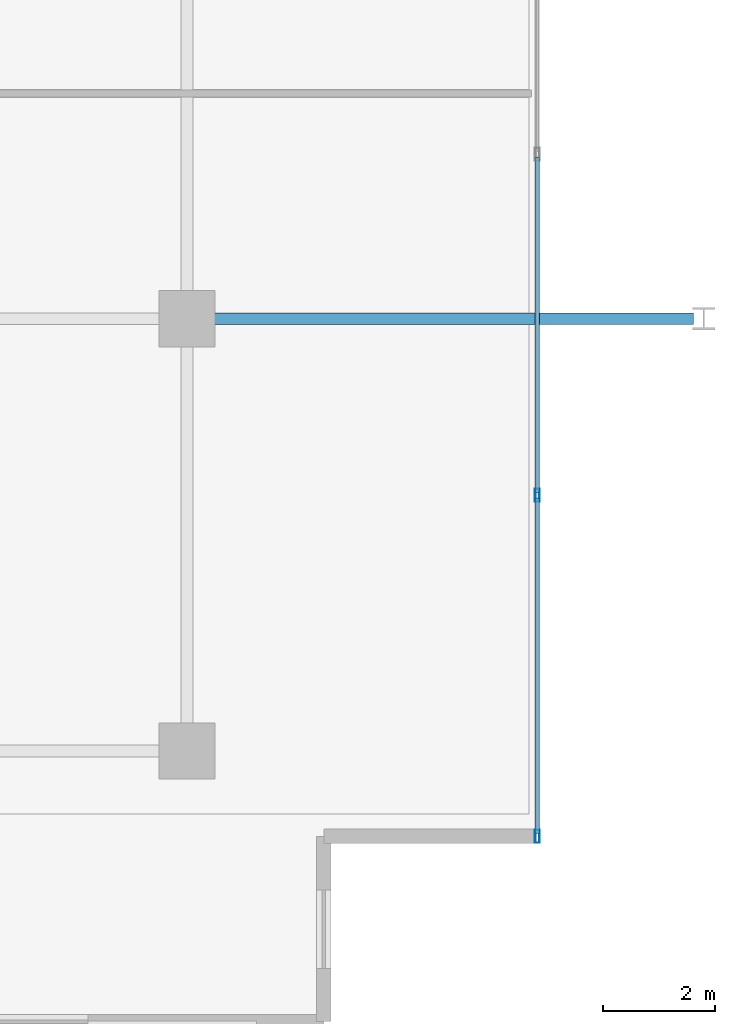
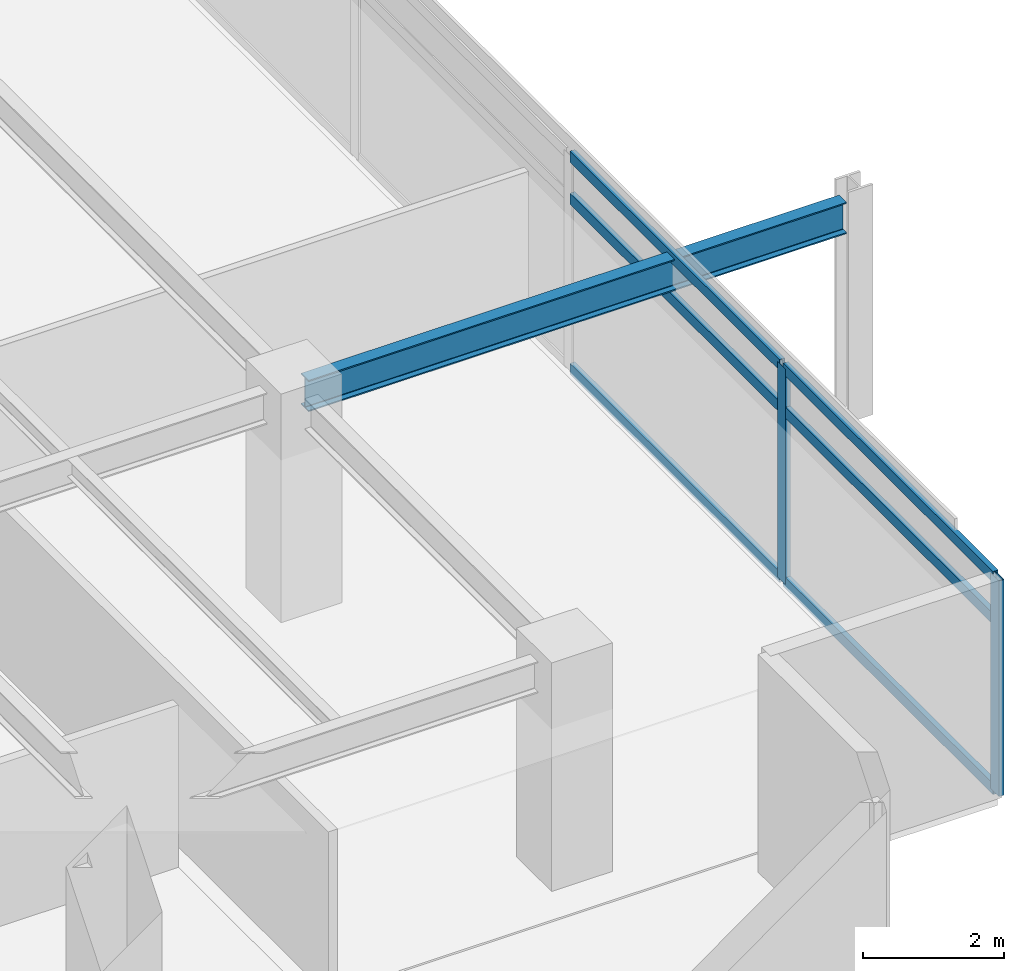
# One storey, part 2 of 21: 8 members, 1 beam, 1 element without a shape of its own.
"""IFC4 building model written with IfcOpenShell, lengths in metres."""

from ifc_helpers import new_model, si_unit, direction, frame, origin, origin_2d, place, context, subcontext, project, spatial, hollow_rectangle, i_section, extrude, material, material_profile, profile_set, type_object, element, aggregate, save


model = new_model("IFC4")

# Units and contexts
model_context = context("Model", 3, precision=1e-05, world=origin(), true_north=direction((0.0, 1.0)))
body_context = subcontext(model_context, "Body", "Model", "MODEL_VIEW")
ifc_project = project(units=[si_unit("LENGTHUNIT", "METRE"), si_unit("AREAUNIT", "SQUARE_METRE"), si_unit("VOLUMEUNIT", "CUBIC_METRE"), si_unit("PLANEANGLEUNIT", "RADIAN"), si_unit("MASSUNIT", "GRAM", prefix="KILO")], contexts=[model_context])

# Site, building, storey
site_placement = place(None, origin())
site = spatial("IfcSite", under=ifc_project, at=site_placement, CompositionType="ELEMENT")
building_placement = place(site_placement, origin())
building = spatial("IfcBuilding", under=site, at=building_placement, Name="Kovane Verandah Tower", CompositionType="ELEMENT")
storey_placement = place(building_placement, frame((0.0, 0.0, 314.800048828125)))
storey = spatial("IfcBuildingStorey", under=building, at=storey_placement, Name="L73", CompositionType="ELEMENT", Elevation=314.800048828125)

# Beam
ifc_material_1 = material(Name="Steel S355", Category="steel")
ifc_material_profile_1 = material_profile(ifc_material_1, i_section(OverallWidth=0.2119140625, OverallDepth=0.54443359375, WebThickness=0.0126953125, FlangeThickness=0.021240234375, FilletRadius=0.0126953125, at=origin_2d()), Name="UB533x210x122")
ifc_profile_set_1 = profile_set([ifc_material_profile_1], Name="Steel S355")
beam_type = type_object("IfcBeamType", Name="BM-UB533x122", PredefinedType="BEAM", material=ifc_profile_set_1)
beam_placement = place(storey_placement, frame((58.580078125, 18.5, 3.48779296875), z_axis=(1.0, 0.0, 0.0), x_axis=(0.0, 1.0, 0.0)))
element("IfcBeam", 1, at=beam_placement, inside=storey, type_object=beam_type, Name="L73 Primary Tower Girder G-VE1", PredefinedType="BEAM", context=body_context, shape_type="SweptSolid", body=[
    extrude(i_section(OverallWidth=0.2119140625, OverallDepth=0.54443359375, WebThickness=0.0126953125, FlangeThickness=0.021240234375, FilletRadius=0.0126953125, at=origin_2d()), origin(), (0.0, 0.0, 1.0), 8.83984375),
])

# Curtain wall, members
ifc_material_2 = material(Name="Champagne Anodised Aluminium Frame with Low-E Clear Laminated Glass", Category="aluminium")
curtain_wall_type = type_object("IfcCurtainWallType", Name="CW-SYS-05-HIGH", PredefinedType="NOTDEFINED", material=ifc_material_2)
curtain_wall_placement = place(storey_placement, origin())
curtain_wall = element("IfcCurtainWall", 2, at=curtain_wall_placement, inside=storey, type_object=curtain_wall_type, Name="L73 E Unitised Curtain Wall", PredefinedType="NOTDEFINED")
ifc_material_3 = material(Name="Champagne Anodised Aluminium 6063-T6", Category="aluminium")
ifc_material_profile_2 = material_profile(ifc_material_3, hollow_rectangle(XDim=0.0849609375, YDim=0.22998046875, WallThickness=0.00390625, at=origin_2d()), Name="AL85x230x4")
ifc_profile_set_2 = profile_set([ifc_material_profile_2], Name="Champagne Anodised Aluminium 6063-T6")
member_type_1 = type_object("IfcMemberType", Name="CW-MUL-85x230", PredefinedType="MULLION", material=ifc_profile_set_2)
member_1_placement = place(storey_placement, frame((64.636474609375, 9.28173828125, 0.02001953125), z_axis=(0.0, 0.0, 1.0), x_axis=(1.0, 0.0, 0.0)))
member_1 = element("IfcMember", 3, at=member_1_placement, type_object=member_type_1, Name="L73 E Unitised Curtain Wall Mullion 1", PredefinedType="MULLION", context=body_context, shape_type="SweptSolid", body=[
    extrude(hollow_rectangle(XDim=0.0849609375, YDim=0.22998046875, WallThickness=0.00390625, at=origin_2d()), origin(), (0.0, 0.0, 1.0), 3.744873046875),
])
member_2_placement = place(storey_placement, frame((64.636474609375, 15.3544921875, 0.02001953125), z_axis=(0.0, 0.0, 1.0), x_axis=(1.0, 0.0, 0.0)))
member_2 = element("IfcMember", 4, at=member_2_placement, type_object=member_type_1, Name="L73 E Unitised Curtain Wall Mullion 2", PredefinedType="MULLION", context=body_context, shape_type="SweptSolid", body=[
    extrude(hollow_rectangle(XDim=0.0849609375, YDim=0.22998046875, WallThickness=0.00390625, at=origin_2d()), origin(), (0.0, 0.0, 1.0), 3.744873046875),
])
ifc_material_profile_3 = material_profile(ifc_material_3, hollow_rectangle(XDim=0.0849609375, YDim=0.18994140625, WallThickness=0.00390625, at=origin_2d()), Name="AL85x190x4")
ifc_profile_set_3 = profile_set([ifc_material_profile_3], Name="Champagne Anodised Aluminium 6063-T6")
member_type_2 = type_object("IfcMemberType", Name="CW-TRN-85x190", PredefinedType="USERDEFINED", material=ifc_profile_set_3)
member_3_placement = place(storey_placement, frame((64.636474609375, 9.331787109375, 0.050048828125), z_axis=(0.0, 1.0, 0.0), x_axis=(-1.0, 0.0, 0.0)))
member_3 = element("IfcMember", 5, at=member_3_placement, type_object=member_type_2, Name="L73 E Unitised Curtain Wall Transom TB Bay 1", ObjectType="TRANSOM", PredefinedType="USERDEFINED", context=body_context, shape_type="SweptSolid", body=[
    extrude(hollow_rectangle(XDim=0.0849609375, YDim=0.18994140625, WallThickness=0.00390625, at=origin_2d()), origin(), (0.0, 0.0, 1.0), 5.97265625),
])
member_4_placement = place(storey_placement, frame((64.636474609375, 9.331787109375, 3.0048828125), z_axis=(0.0, 1.0, 0.0), x_axis=(-1.0, 0.0, 0.0)))
member_4 = element("IfcMember", 6, at=member_4_placement, type_object=member_type_2, Name="L73 E Unitised Curtain Wall Transom TM Bay 1", ObjectType="TRANSOM", PredefinedType="USERDEFINED", context=body_context, shape_type="SweptSolid", body=[
    extrude(hollow_rectangle(XDim=0.0849609375, YDim=0.18994140625, WallThickness=0.00390625, at=origin_2d()), origin(), (0.0, 0.0, 1.0), 5.97265625),
])
member_5_placement = place(storey_placement, frame((64.636474609375, 9.331787109375, 3.73486328125), z_axis=(0.0, 1.0, 0.0), x_axis=(-1.0, 0.0, 0.0)))
member_5 = element("IfcMember", 7, at=member_5_placement, type_object=member_type_2, Name="L73 E Unitised Curtain Wall Transom TT Bay 1", ObjectType="TRANSOM", PredefinedType="USERDEFINED", context=body_context, shape_type="SweptSolid", body=[
    extrude(hollow_rectangle(XDim=0.0849609375, YDim=0.18994140625, WallThickness=0.00390625, at=origin_2d()), origin(), (0.0, 0.0, 1.0), 5.97265625),
])
member_6_placement = place(storey_placement, frame((64.636474609375, 15.404541015625, 0.050048828125), z_axis=(0.0, 1.0, 0.0), x_axis=(-1.0, 0.0, 0.0)))
member_6 = element("IfcMember", 8, at=member_6_placement, type_object=member_type_2, Name="L73 E Unitised Curtain Wall Transom TB Bay 2", ObjectType="TRANSOM", PredefinedType="USERDEFINED", context=body_context, shape_type="SweptSolid", body=[
    extrude(hollow_rectangle(XDim=0.0849609375, YDim=0.18994140625, WallThickness=0.00390625, at=origin_2d()), origin(), (0.0, 0.0, 1.0), 5.97265625),
])
member_7_placement = place(storey_placement, frame((64.636474609375, 15.404541015625, 3.0048828125), z_axis=(0.0, 1.0, 0.0), x_axis=(-1.0, 0.0, 0.0)))
member_7 = element("IfcMember", 9, at=member_7_placement, type_object=member_type_2, Name="L73 E Unitised Curtain Wall Transom TM Bay 2", ObjectType="TRANSOM", PredefinedType="USERDEFINED", context=body_context, shape_type="SweptSolid", body=[
    extrude(hollow_rectangle(XDim=0.0849609375, YDim=0.18994140625, WallThickness=0.00390625, at=origin_2d()), origin(), (0.0, 0.0, 1.0), 5.97265625),
])
member_8_placement = place(storey_placement, frame((64.636474609375, 15.404541015625, 3.73486328125), z_axis=(0.0, 1.0, 0.0), x_axis=(-1.0, 0.0, 0.0)))
member_8 = element("IfcMember", 10, at=member_8_placement, type_object=member_type_2, Name="L73 E Unitised Curtain Wall Transom TT Bay 2", ObjectType="TRANSOM", PredefinedType="USERDEFINED", context=body_context, shape_type="SweptSolid", body=[
    extrude(hollow_rectangle(XDim=0.0849609375, YDim=0.18994140625, WallThickness=0.00390625, at=origin_2d()), origin(), (0.0, 0.0, 1.0), 5.97265625),
])
aggregate(curtain_wall, [member_1, member_2, member_3, member_4, member_5, member_6, member_7, member_8])

save(model, "model.ifc")
